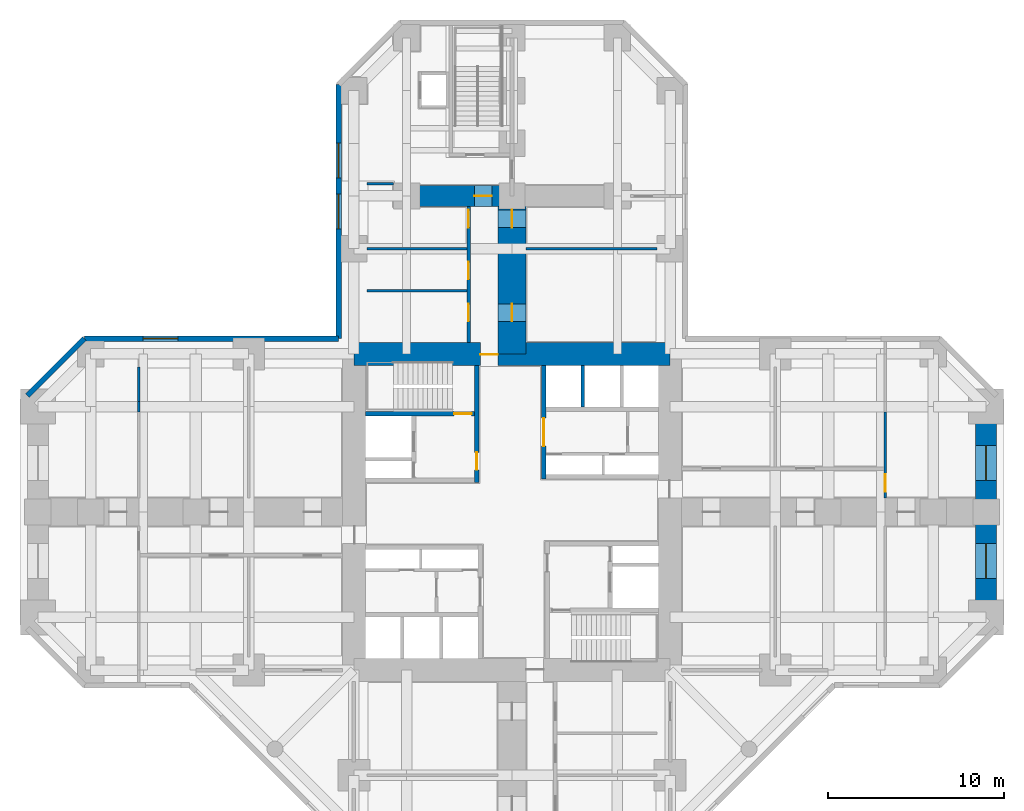
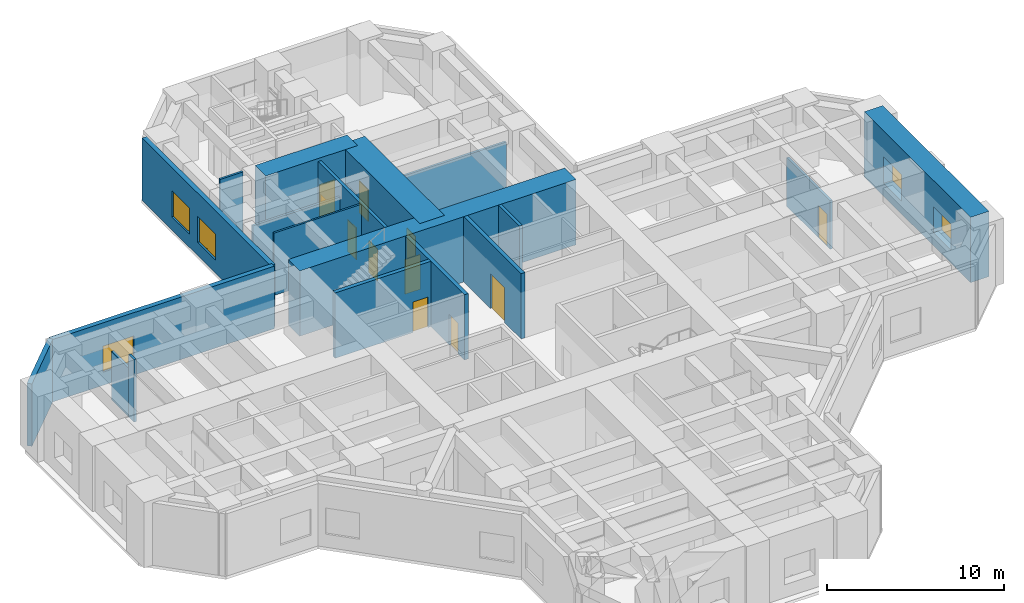
# One storey, part 6 of 8: 19 walls, 11 doors, 5 windows, 16 openings.
"""IFC4 building model written with IfcOpenShell, lengths in metres."""

from ifc_helpers import new_model, si_unit, direction, frame, frame_2d, origin, place, context, subcontext, project, spatial, rectangle, hollow_rectangle, extrude, material, layer, layer_set, constituent, constituent_set, type_object, element, fill, save


model = new_model("IFC4")

# Units and contexts
model_context = context("Model", 3, precision=1e-05, world=origin(), true_north=direction((0.0, 1.0)))
body_context = subcontext(model_context, "Body", "Model", "MODEL_VIEW")
ifc_project = project(units=[si_unit("LENGTHUNIT", "METRE"), si_unit("AREAUNIT", "SQUARE_METRE"), si_unit("VOLUMEUNIT", "CUBIC_METRE"), si_unit("PLANEANGLEUNIT", "RADIAN"), si_unit("MASSUNIT", "GRAM", prefix="KILO")], contexts=[model_context])

# Site, building, storey
site_placement = place(None, origin())
site = spatial("IfcSite", under=ifc_project, at=site_placement, CompositionType="ELEMENT")
building_placement = place(site_placement, origin())
building = spatial("IfcBuilding", under=site, at=building_placement, Name="Torre Cruceta", CompositionType="ELEMENT")
storey_placement = place(building_placement, frame((0.0, 0.0, 9.5)))
storey = spatial("IfcBuildingStorey", under=building, at=storey_placement, Name="L02", CompositionType="ELEMENT", Elevation=9.5)

# Wall, opening, door
ifc_material_1 = material(Name="Concrete G60 (fck 60 MPa)", Category="concrete")
ifc_layer_1 = layer(ifc_material_1, 0.25)
ifc_layer_set_1 = layer_set([ifc_layer_1], Name="Concrete G60 (fck 60 MPa)")
wall_type_1 = type_object("IfcWallType", Name="CORE INNER WALL 250 G60", PredefinedType="SHEAR", material=ifc_layer_set_1)
wall_1_placement = place(storey_placement, frame((1.800048828125, 1.875, 0.0), z_axis=(0.0, 0.0, 1.0), x_axis=(0.0, 1.0, 0.0)))
wall_1 = element("IfcWall", 1, at=wall_1_placement, inside=storey, type_object=wall_type_1, Name="CW4 L02 NE-CU", PredefinedType="SHEAR", context=body_context, shape_type="SweptSolid", body=[
    extrude(rectangle(XDim=6.47509765625, YDim=0.25, at=frame_2d((3.237548828125, 0.0))), origin(), (0.0, 0.0, 1.0), 4.5),
])
opening_1_placement = place(wall_1_placement, frame((1.875, 0.0, 0.0)))
opening_1 = element("IfcOpeningElement", 2, at=opening_1_placement, cuts=wall_1, Name="Opening D15", PredefinedType="OPENING", context=body_context, shape_type="SweptSolid", body=[
    extrude(rectangle(XDim=1.60009765625, YDim=2.39990234375, at=frame_2d((0.800048828125, 1.199951171875))), frame((0.0, 0.135009765625, 0.0), z_axis=(0.0, -1.0, 0.0), x_axis=(1.0, 0.0, 0.0)), (0.0, 0.0, 1.0), 0.27001953125),
])
ifc_material_2 = material(Name="Steel DX51D", Category="steel")
ifc_constituent_1 = constituent(ifc_material_2, Name="Leaf and frame")
ifc_material_3 = material(Name="Polyester powder coating", Category="paint")
ifc_constituent_2 = constituent(ifc_material_3, Name="Finish")
ifc_constituent_set_1 = constituent_set(constituents=[ifc_constituent_1, ifc_constituent_2], Name="Steel fire door")
door_type_1 = type_object("IfcDoorType", Name="CORE ROOM DOUBLE DOOR 1600X2400", OperationType="DOUBLE_DOOR_SINGLE_SWING", PredefinedType="DOOR", material=ifc_constituent_set_1)
door_1_placement = place(opening_1_placement, frame((1.60009765625, 0.0, 0.0), z_axis=(0.0, 0.0, 1.0), x_axis=(-1.0, 0.0, 0.0)))
door_1 = element("IfcDoor", 3, at=door_1_placement, inside=storey, type_object=door_type_1, Name="D15 L02 NE-LOBBY", OperationType="DOUBLE_DOOR_SINGLE_SWING", OverallHeight=2.39990234375, OverallWidth=1.60009765625, PredefinedType="DOOR", context=body_context, shape_type="SweptSolid", body=[
    extrude(rectangle(XDim=1.60009765625, YDim=2.39990234375, at=frame_2d((0.800048828125, 1.199951171875))), frame((0.0, 0.025146484375, 0.0), z_axis=(0.0, -1.0, 0.0), x_axis=(1.0, 0.0, 0.0)), (0.0, 0.0, 1.0), 0.050048828125),
])
fill(opening_1, door_1)

wall_2_placement = place(storey_placement, frame((-2.0, 1.675048828125, 0.0), z_axis=(0.0, 0.0, 1.0), x_axis=(0.0, 1.0, 0.0)))
wall_2 = element("IfcWall", 4, at=wall_2_placement, inside=storey, type_object=wall_type_1, Name="CW4 L02 NW-CU", PredefinedType="SHEAR", context=body_context, shape_type="SweptSolid", body=[
    extrude(rectangle(XDim=6.675048828125, YDim=0.25, at=frame_2d((3.33740234375, 0.0))), origin(), (0.0, 0.0, 1.0), 4.5),
])
opening_2_placement = place(wall_2_placement, frame((0.72509765625, 0.0, 0.0)))
opening_2 = element("IfcOpeningElement", 5, at=opening_2_placement, cuts=wall_2, Name="Opening D3", PredefinedType="OPENING", context=body_context, shape_type="SweptSolid", body=[
    extrude(rectangle(XDim=1.0, YDim=2.10009765625, at=frame_2d((0.5, 1.050048828125))), frame((0.0, 0.135009765625, 0.0), z_axis=(0.0, -1.0, 0.0), x_axis=(1.0, 0.0, 0.0)), (0.0, 0.0, 1.0), 0.27001953125),
])
ifc_material_4 = material(Name="Steel DX51D", Category="steel")
ifc_constituent_3 = constituent(ifc_material_4, Name="Leaf and frame")
ifc_material_5 = material(Name="Polyester powder coating", Category="paint")
ifc_constituent_4 = constituent(ifc_material_5, Name="Finish")
ifc_constituent_set_2 = constituent_set(constituents=[ifc_constituent_3, ifc_constituent_4], Name="Steel fire door")
door_type_2 = type_object("IfcDoorType", Name="FIRE DOOR 1000X2100", OperationType="SINGLE_SWING_LEFT", PredefinedType="DOOR", material=ifc_constituent_set_2)
door_2_placement = place(opening_2_placement, origin())
door_2 = element("IfcDoor", 6, at=door_2_placement, inside=storey, type_object=door_type_2, Name="D3 L02 NW-LOBBY", OperationType="SINGLE_SWING_LEFT", OverallHeight=2.10009765625, OverallWidth=1.0, PredefinedType="DOOR", context=body_context, shape_type="SweptSolid", body=[
    extrude(rectangle(XDim=1.0, YDim=2.10009765625, at=frame_2d((0.5, 1.050048828125))), frame((0.0, 0.02490234375, 0.0), z_axis=(0.0, -1.0, 0.0), x_axis=(1.0, 0.0, 0.0)), (0.0, 0.0, 1.0), 0.050048828125),
])
fill(opening_2, door_2)

wall_3_placement = place(storey_placement, frame((-2.125, 5.60009765625, 0.0), z_axis=(0.0, 0.0, 1.0), x_axis=(-1.0, 0.0, 0.0)))
wall_3 = element("IfcWall", 7, at=wall_3_placement, inside=storey, type_object=wall_type_1, Name="CW4 L02 NW-SV", PredefinedType="SHEAR", context=body_context, shape_type="SweptSolid", body=[
    extrude(rectangle(XDim=6.22509765625, YDim=0.25, at=frame_2d((3.112548828125, 0.0))), origin(), (0.0, 0.0, 1.0), 4.5),
])
opening_3_placement = place(wall_3_placement, frame((0.175048828125, 0.0, 0.0)))
opening_3 = element("IfcOpeningElement", 8, at=opening_3_placement, cuts=wall_3, Name="Opening D3", PredefinedType="OPENING", context=body_context, shape_type="SweptSolid", body=[
    extrude(rectangle(XDim=1.0, YDim=2.10009765625, at=frame_2d((0.5, 1.050048828125))), frame((0.0, 0.135009765625, 0.0), z_axis=(0.0, -1.0, 0.0), x_axis=(1.0, 0.0, 0.0)), (0.0, 0.0, 1.0), 0.27001953125),
])
door_3_placement = place(opening_3_placement, frame((1.0, 0.0, 0.0), z_axis=(0.0, 0.0, 1.0), x_axis=(-1.0, 0.0, 0.0)))
door_3 = element("IfcDoor", 9, at=door_3_placement, inside=storey, type_object=door_type_2, Name="D3 L02 NW-STAIR", OperationType="SINGLE_SWING_RIGHT", OverallHeight=2.10009765625, OverallWidth=1.0, PredefinedType="DOOR", context=body_context, shape_type="SweptSolid", body=[
    extrude(rectangle(XDim=1.0, YDim=2.10009765625, at=frame_2d((0.5, 1.050048828125))), frame((0.0, 0.025146484375, 0.0), z_axis=(0.0, -1.0, 0.0), x_axis=(1.0, 0.0, 0.0)), (0.0, 0.0, 1.0), 0.050048828125),
])
fill(opening_3, door_3)

ifc_material_6 = material(Name="Concrete G60 (fck 60 MPa)", Category="concrete")
ifc_layer_2 = layer(ifc_material_6, 1.300048828125)
ifc_layer_set_2 = layer_set([ifc_layer_2], Name="Concrete G60 (fck 60 MPa)")
wall_type_2 = type_object("IfcWallType", Name="CORE WALL 1300 G60", PredefinedType="SHEAR", material=ifc_layer_set_2)
wall_4_placement = place(storey_placement, frame((9.0, 9.0, 0.0), z_axis=(0.0, 0.0, 1.0), x_axis=(-1.0, 0.0, 0.0)))
wall_4 = element("IfcWall", 10, at=wall_4_placement, inside=storey, type_object=wall_type_2, Name="CW1 L02 CW-N", PredefinedType="SHEAR", context=body_context, shape_type="SweptSolid", body=[
    extrude(rectangle(XDim=18.0, YDim=1.300048828125, at=frame_2d((9.0, 0.0))), origin(), (0.0, 0.0, 1.0), 4.5),
])
opening_4_placement = place(wall_4_placement, frame((9.800048828125, 0.0, 0.0)))
opening_4 = element("IfcOpeningElement", 11, at=opening_4_placement, cuts=wall_4, Name="Opening D4", PredefinedType="OPENING", context=body_context, shape_type="SweptSolid", body=[
    extrude(rectangle(XDim=1.0, YDim=2.39990234375, at=frame_2d((0.5, 1.199951171875))), frame((0.0, 0.659912109375, 0.0), z_axis=(0.0, -1.0, 0.0), x_axis=(1.0, 0.0, 0.0)), (0.0, 0.0, 1.0), 1.320068359375),
])
ifc_material_7 = material(Name="Steel DX51D", Category="steel")
ifc_constituent_5 = constituent(ifc_material_7, Name="Leaf and frame")
ifc_material_8 = material(Name="Polyester powder coating", Category="paint")
ifc_constituent_6 = constituent(ifc_material_8, Name="Finish")
ifc_constituent_set_3 = constituent_set(constituents=[ifc_constituent_5, ifc_constituent_6], Name="Steel fire door")
door_type_3 = type_object("IfcDoorType", Name="CORE ARM DOOR 1000X2400", OperationType="SINGLE_SWING_RIGHT", PredefinedType="DOOR", material=ifc_constituent_set_3)
door_4_placement = place(opening_4_placement, origin())
door_4 = element("IfcDoor", 12, at=door_4_placement, inside=storey, type_object=door_type_3, Name="D4 L02 CW-N", OperationType="SINGLE_SWING_RIGHT", OverallHeight=2.39990234375, OverallWidth=1.0, PredefinedType="DOOR", context=body_context, shape_type="SweptSolid", body=[
    extrude(rectangle(XDim=1.0, YDim=2.39990234375, at=frame_2d((0.5, 1.199951171875))), frame((0.0, 0.05517578125, 0.0), z_axis=(0.0, -1.0, 0.0), x_axis=(1.0, 0.0, 0.0)), (0.0, 0.0, 1.0), 0.050048828125),
])
fill(opening_4, door_4)

# Wall, openings, doors
ifc_material_9 = material(Name="Concrete G25 (fck 25 MPa)", Category="concrete")
ifc_layer_3 = layer(ifc_material_9, 0.199951171875)
ifc_layer_set_3 = layer_set([ifc_layer_3], Name="Concrete G25 (fck 25 MPa)")
wall_type_3 = type_object("IfcWallType", Name="CORRIDOR WALL 200", PredefinedType="SOLIDWALL", material=ifc_layer_set_3)
wall_5_placement = place(storey_placement, frame((-2.47509765625, 9.64990234375, 0.0), z_axis=(0.0, 0.0, 1.0), x_axis=(0.0, 1.0, 0.0)))
wall_5 = element("IfcWall", 13, at=wall_5_placement, inside=storey, type_object=wall_type_3, Name="PT3 L02-N-CL", PredefinedType="SOLIDWALL", context=body_context, shape_type="SweptSolid", body=[
    extrude(rectangle(XDim=7.75, YDim=0.199951171875, at=frame_2d((3.875, 0.0))), origin(), (0.0, 0.0, 1.0), 4.300048828125),
])
opening_5_placement = place(wall_5_placement, frame((1.199951171875, 0.0, 0.0)))
opening_5 = element("IfcOpeningElement", 14, at=opening_5_placement, cuts=wall_5, Name="Opening D14", PredefinedType="OPENING", context=body_context, shape_type="SweptSolid", body=[
    extrude(rectangle(XDim=1.0, YDim=2.199951171875, at=frame_2d((0.5, 1.10009765625))), frame((0.0, 0.10986328125, 0.0), z_axis=(0.0, -1.0, 0.0), x_axis=(1.0, 0.0, 0.0)), (0.0, 0.0, 1.0), 0.219970703125),
])
opening_6_placement = place(wall_5_placement, frame((3.60009765625, 0.0, 0.0)))
opening_6 = element("IfcOpeningElement", 15, at=opening_6_placement, cuts=wall_5, Name="Opening D14", PredefinedType="OPENING", context=body_context, shape_type="SweptSolid", body=[
    extrude(rectangle(XDim=1.0, YDim=2.199951171875, at=frame_2d((0.5, 1.10009765625))), frame((0.0, 0.10986328125, 0.0), z_axis=(0.0, -1.0, 0.0), x_axis=(1.0, 0.0, 0.0)), (0.0, 0.0, 1.0), 0.219970703125),
])
opening_7_placement = place(wall_5_placement, frame((6.550048828125, 0.0, 0.0)))
opening_7 = element("IfcOpeningElement", 16, at=opening_7_placement, cuts=wall_5, Name="Opening D14", PredefinedType="OPENING", context=body_context, shape_type="SweptSolid", body=[
    extrude(rectangle(XDim=1.0, YDim=2.199951171875, at=frame_2d((0.5, 1.10009765625))), frame((0.0, 0.10986328125, 0.0), z_axis=(0.0, -1.0, 0.0), x_axis=(1.0, 0.0, 0.0)), (0.0, 0.0, 1.0), 0.219970703125),
])
ifc_material_10 = material(Name="Steel DX51D", Category="steel")
ifc_constituent_7 = constituent(ifc_material_10, Name="Leaf and frame")
ifc_material_11 = material(Name="Polyester powder coating", Category="paint")
ifc_constituent_8 = constituent(ifc_material_11, Name="Finish")
ifc_material_12 = material(Name="Fire-resisting glass", Category="glass")
ifc_constituent_9 = constituent(ifc_material_12, Name="Vision panel")
ifc_constituent_set_4 = constituent_set(constituents=[ifc_constituent_7, ifc_constituent_8, ifc_constituent_9], Name="Steel fire door with vision panel")
door_type_4 = type_object("IfcDoorType", Name="FIRE DOOR VISION PANEL 1000X2200", OperationType="SINGLE_SWING_RIGHT", PredefinedType="DOOR", material=ifc_constituent_set_4)
door_5_placement = place(opening_5_placement, origin())
door_5 = element("IfcDoor", 17, at=door_5_placement, inside=storey, type_object=door_type_4, Name="D14 L02-N-CL-D1", OperationType="SINGLE_SWING_RIGHT", OverallHeight=2.199951171875, OverallWidth=1.0, PredefinedType="DOOR", context=body_context, shape_type="SweptSolid", body=[
    extrude(rectangle(XDim=1.0, YDim=2.199951171875, at=frame_2d((0.5, 1.10009765625))), frame((0.0, 0.02490234375, 0.0), z_axis=(0.0, -1.0, 0.0), x_axis=(1.0, 0.0, 0.0)), (0.0, 0.0, 1.0), 0.050048828125),
])
fill(opening_5, door_5)
door_6_placement = place(opening_6_placement, origin())
door_6 = element("IfcDoor", 18, at=door_6_placement, inside=storey, type_object=door_type_4, Name="D14 L02-N-CL-D2", OperationType="SINGLE_SWING_LEFT", OverallHeight=2.199951171875, OverallWidth=1.0, PredefinedType="DOOR", context=body_context, shape_type="SweptSolid", body=[
    extrude(rectangle(XDim=1.0, YDim=2.199951171875, at=frame_2d((0.5, 1.10009765625))), frame((0.0, 0.02490234375, 0.0), z_axis=(0.0, -1.0, 0.0), x_axis=(1.0, 0.0, 0.0)), (0.0, 0.0, 1.0), 0.050048828125),
])
fill(opening_6, door_6)
door_7_placement = place(opening_7_placement, origin())
door_7 = element("IfcDoor", 19, at=door_7_placement, inside=storey, type_object=door_type_4, Name="D14 L02-N-CL-D3", OperationType="SINGLE_SWING_RIGHT", OverallHeight=2.199951171875, OverallWidth=1.0, PredefinedType="DOOR", context=body_context, shape_type="SweptSolid", body=[
    extrude(rectangle(XDim=1.0, YDim=2.199951171875, at=frame_2d((0.5, 1.10009765625))), frame((0.0, 0.02490234375, 0.0), z_axis=(0.0, -1.0, 0.0), x_axis=(1.0, 0.0, 0.0)), (0.0, 0.0, 1.0), 0.050048828125),
])
fill(opening_7, door_7)

# Wall, opening, door
ifc_material_13 = material(Name="Concrete G60 (fck 60 MPa)", Category="concrete")
ifc_layer_4 = layer(ifc_material_13, 1.199951171875)
ifc_layer_set_4 = layer_set([ifc_layer_4], Name="Concrete G60 (fck 60 MPa)")
wall_type_4 = type_object("IfcWallType", Name="CROSS WALL 1200 G60", PredefinedType="SHEAR", material=ifc_layer_set_4)
wall_6_placement = place(storey_placement, frame((0.0, 18.0, 0.0), z_axis=(0.0, 0.0, 1.0), x_axis=(-1.0, 0.0, 0.0)))
wall_6 = element("IfcWall", 20, at=wall_6_placement, inside=storey, type_object=wall_type_4, Name="XW1 cross wall L02 N L", PredefinedType="SHEAR", context=body_context, shape_type="SweptSolid", body=[
    extrude(rectangle(XDim=6.0, YDim=1.199951171875, at=frame_2d((3.0, 0.0))), origin(), (0.0, 0.0, 1.0), 4.5),
])
opening_8_placement = place(wall_6_placement, frame((1.14990234375, 0.0, 0.0)))
opening_8 = element("IfcOpeningElement", 21, at=opening_8_placement, cuts=wall_6, Name="Opening D14", PredefinedType="OPENING", context=body_context, shape_type="SweptSolid", body=[
    extrude(rectangle(XDim=1.0, YDim=2.199951171875, at=frame_2d((0.5, 1.10009765625))), frame((0.0, 0.60986328125, 0.0), z_axis=(0.0, -1.0, 0.0), x_axis=(1.0, 0.0, 0.0)), (0.0, 0.0, 1.0), 1.219970703125),
])
door_8_placement = place(opening_8_placement, frame((1.0, 0.0, 0.0), z_axis=(0.0, 0.0, 1.0), x_axis=(-1.0, 0.0, 0.0)))
door_8 = element("IfcDoor", 22, at=door_8_placement, inside=storey, type_object=door_type_4, Name="D14 L02-N-XW1", OperationType="SINGLE_SWING_RIGHT", OverallHeight=2.199951171875, OverallWidth=1.0, PredefinedType="DOOR", context=body_context, shape_type="SweptSolid", body=[
    extrude(rectangle(XDim=1.0, YDim=2.199951171875, at=frame_2d((0.5, 1.10009765625))), frame((0.0, 0.025146484375, 0.0), z_axis=(0.0, -1.0, 0.0), x_axis=(1.0, 0.0, 0.0)), (0.0, 0.0, 1.0), 0.050048828125),
])
fill(opening_8, door_8)

# Wall, openings, windows
ifc_material_14 = material(Name="Concrete G30 (fck 30 MPa)", Category="concrete")
ifc_layer_5 = layer(ifc_material_14, 0.300048828125)
ifc_layer_set_5 = layer_set([ifc_layer_5], Name="Concrete G30 (fck 30 MPa)")
wall_type_5 = type_object("IfcWallType", Name="EXPOSED CONCRETE FACADE WALL 300", PredefinedType="SOLIDWALL", material=ifc_layer_set_5)
wall_7_placement = place(storey_placement, frame((-9.8701171875, 24.3603515625, 0.0), z_axis=(0.0, 0.0, 1.0), x_axis=(0.0, -1.0, 0.0)))
wall_7 = element("IfcWall", 23, at=wall_7_placement, inside=storey, type_object=wall_type_5, Name="EW1 facade wall L02 N side 09", PredefinedType="SOLIDWALL", context=body_context, shape_type="SweptSolid", body=[
    extrude(rectangle(XDim=14.490234375, YDim=0.300048828125, at=frame_2d((7.2451171875, 0.0))), origin(), (0.0, 0.0, 1.0), 4.300048828125),
])
opening_9_placement = place(wall_7_placement, frame((3.34716796875, 0.0, 0.89990234375)))
opening_9 = element("IfcOpeningElement", 24, at=opening_9_placement, cuts=wall_7, Name="Opening WN1", PredefinedType="OPENING", context=body_context, shape_type="SweptSolid", body=[
    extrude(rectangle(XDim=2.0, YDim=1.800048828125, at=frame_2d((1.0, 0.89990234375))), frame((0.0, 0.159912109375, 0.0), z_axis=(0.0, -1.0, 0.0), x_axis=(1.0, 0.0, 0.0)), (0.0, 0.0, 1.0), 0.320068359375),
])
opening_10_placement = place(wall_7_placement, frame((6.2451171875, 0.0, 0.89990234375)))
opening_10 = element("IfcOpeningElement", 25, at=opening_10_placement, cuts=wall_7, Name="Opening WN1", PredefinedType="OPENING", context=body_context, shape_type="SweptSolid", body=[
    extrude(rectangle(XDim=2.0, YDim=1.800048828125, at=frame_2d((1.0, 0.89990234375))), frame((0.0, 0.159912109375, 0.0), z_axis=(0.0, -1.0, 0.0), x_axis=(1.0, 0.0, 0.0)), (0.0, 0.0, 1.0), 0.320068359375),
])
ifc_material_15 = material(Name="Aluminium window frame", Category="aluminium")
ifc_constituent_10 = constituent(ifc_material_15, Name="Frame")
ifc_material_16 = material(Name="Laminated insulating glass unit, low-iron clear", Category="glass")
ifc_constituent_11 = constituent(ifc_material_16, Name="Glazing")
ifc_constituent_set_5 = constituent_set(constituents=[ifc_constituent_10, ifc_constituent_11], Name="Aluminium window")
window_type = type_object("IfcWindowType", Name="SCHOOL WINDOW 2000X1800", PartitioningType="SINGLE_PANEL", PredefinedType="WINDOW", material=ifc_constituent_set_5)
window_1_placement = place(opening_9_placement, origin())
window_1 = element("IfcWindow", 26, at=window_1_placement, inside=storey, type_object=window_type, Name="WN1 L02 N 2", OverallHeight=1.800048828125, OverallWidth=2.0, PartitioningType="SINGLE_PANEL", PredefinedType="WINDOW", context=body_context, shape_type="SweptSolid", body=[
    extrude(hollow_rectangle(XDim=2.0, YDim=1.800048828125, WallThickness=0.06005859375, at=frame_2d((1.0, 0.89990234375))), frame((0.0, 0.030029296875, 0.0), z_axis=(0.0, -1.0, 0.0), x_axis=(1.0, 0.0, 0.0)), (0.0, 0.0, 1.0), 0.06005859375),
    extrude(rectangle(XDim=1.87890625, YDim=1.678955078125, at=frame_2d((1.0, 0.89990234375))), frame((0.0, 0.030029296875, 0.0), z_axis=(0.0, -1.0, 0.0), x_axis=(1.0, 0.0, 0.0)), (0.0, 0.0, 1.0), 0.06005859375),
])
fill(opening_9, window_1)
window_2_placement = place(opening_10_placement, origin())
window_2 = element("IfcWindow", 27, at=window_2_placement, inside=storey, type_object=window_type, Name="WN1 L02 N 3", OverallHeight=1.800048828125, OverallWidth=2.0, PartitioningType="SINGLE_PANEL", PredefinedType="WINDOW", context=body_context, shape_type="SweptSolid", body=[
    extrude(hollow_rectangle(XDim=2.0, YDim=1.800048828125, WallThickness=0.06005859375, at=frame_2d((1.0, 0.89990234375))), frame((0.0, 0.030029296875, 0.0), z_axis=(0.0, -1.0, 0.0), x_axis=(1.0, 0.0, 0.0)), (0.0, 0.0, 1.0), 0.06005859375),
    extrude(rectangle(XDim=1.87890625, YDim=1.678955078125, at=frame_2d((1.0, 0.89990234375))), frame((0.0, 0.030029296875, 0.0), z_axis=(0.0, -1.0, 0.0), x_axis=(1.0, 0.0, 0.0)), (0.0, 0.0, 1.0), 0.06005859375),
])
fill(opening_10, window_2)

# Wall, opening, window
wall_8_placement = place(storey_placement, frame((-9.8701171875, 9.8701171875, 0.0), z_axis=(0.0, 0.0, 1.0), x_axis=(-1.0, 0.0, 0.0)))
wall_8 = element("IfcWall", 28, at=wall_8_placement, inside=storey, type_object=wall_type_5, Name="EW1 facade wall L02 W side 10", PredefinedType="SOLIDWALL", context=body_context, shape_type="SweptSolid", body=[
    extrude(rectangle(XDim=14.490234375, YDim=0.300048828125, at=frame_2d((7.2451171875, 0.0))), origin(), (0.0, 0.0, 1.0), 4.300048828125),
])
opening_11_placement = place(wall_8_placement, frame((9.143310546875, 0.0, 0.89990234375)))
opening_11 = element("IfcOpeningElement", 29, at=opening_11_placement, cuts=wall_8, Name="Opening WN1", PredefinedType="OPENING", context=body_context, shape_type="SweptSolid", body=[
    extrude(rectangle(XDim=2.0, YDim=1.800048828125, at=frame_2d((1.0, 0.89990234375))), frame((0.0, 0.159912109375, 0.0), z_axis=(0.0, -1.0, 0.0), x_axis=(1.0, 0.0, 0.0)), (0.0, 0.0, 1.0), 0.320068359375),
])
window_3_placement = place(opening_11_placement, origin())
window_3 = element("IfcWindow", 30, at=window_3_placement, inside=storey, type_object=window_type, Name="WN1 L02 W 4", OverallHeight=1.800048828125, OverallWidth=2.0, PartitioningType="SINGLE_PANEL", PredefinedType="WINDOW", context=body_context, shape_type="SweptSolid", body=[
    extrude(hollow_rectangle(XDim=2.0, YDim=1.800048828125, WallThickness=0.06005859375, at=frame_2d((1.0, 0.89990234375))), frame((0.0, 0.030029296875, 0.0), z_axis=(0.0, -1.0, 0.0), x_axis=(1.0, 0.0, 0.0)), (0.0, 0.0, 1.0), 0.06005859375),
    extrude(rectangle(XDim=1.87890625, YDim=1.678955078125, at=frame_2d((1.0, 0.89990234375))), frame((0.0, 0.030029296875, 0.0), z_axis=(0.0, -1.0, 0.0), x_axis=(1.0, 0.0, 0.0)), (0.0, 0.0, 1.0), 0.06005859375),
])
fill(opening_11, window_3)

# Walls
wall_9_placement = place(storey_placement, frame((-24.3603515625, 9.8701171875, 0.0), z_axis=(0.0, 0.0, 1.0), x_axis=(-0.707106781187, -0.707106781187, 0.0)))
element("IfcWall", 31, at=wall_9_placement, inside=storey, type_object=wall_type_5, Name="EW1 facade wall L02 W chamfer 11", PredefinedType="SOLIDWALL", context=body_context, shape_type="SweptSolid", body=[
    extrude(rectangle(XDim=4.581787109375, YDim=0.300048828125, at=frame_2d((2.291015625, 0.0))), origin(), (0.0, 0.0, 1.0), 4.300048828125),
])
ifc_material_17 = material(Name="Concrete G35 (fck 35 MPa)", Category="concrete")
ifc_layer_6 = layer(ifc_material_17, 0.199951171875)
ifc_layer_set_6 = layer_set([ifc_layer_6], Name="Concrete G35 (fck 35 MPa)")
wall_type_6 = type_object("IfcWallType", Name="LIFT SHAFT WALL 200", PredefinedType="PARTITIONING", material=ifc_layer_set_6)
wall_10_placement = place(storey_placement, frame((4.033447265625, 5.97509765625, 0.0), z_axis=(0.0, 0.0, 1.0), x_axis=(0.0, 1.0, 0.0)))
element("IfcWall", 32, at=wall_10_placement, inside=storey, type_object=wall_type_6, Name="SW1 L02 NE-LS1", PredefinedType="PARTITIONING", context=body_context, shape_type="SweptSolid", body=[
    extrude(rectangle(XDim=2.375, YDim=0.199951171875, at=frame_2d((1.1875, 0.0))), origin(), (0.0, 0.0, 1.0), 4.5),
])

# Wall, openings, windows
ifc_material_18 = material(Name="Concrete G60 (fck 60 MPa)", Category="concrete")
ifc_layer_7 = layer(ifc_material_18, 1.199951171875)
ifc_layer_set_7 = layer_set([ifc_layer_7], Name="Concrete G60 (fck 60 MPa)")
wall_type_7 = type_object("IfcWallType", Name="NOSE WALL 1200 G60", PredefinedType="SHEAR", material=ifc_layer_set_7)
wall_11_placement = place(storey_placement, frame((27.0, -6.0, 0.0), z_axis=(0.0, 0.0, 1.0), x_axis=(0.0, 1.0, 0.0)))
wall_11 = element("IfcWall", 33, at=wall_11_placement, inside=storey, type_object=wall_type_7, Name="NW1 nose wall L02 E", PredefinedType="SHEAR", context=body_context, shape_type="SweptSolid", body=[
    extrude(rectangle(XDim=12.0, YDim=1.199951171875, at=frame_2d((6.0, 0.0))), origin(), (0.0, 0.0, 1.0), 4.5),
])
opening_12_placement = place(wall_11_placement, frame((2.199951171875, 0.0, 0.89990234375)))
opening_12 = element("IfcOpeningElement", 34, at=opening_12_placement, cuts=wall_11, Name="Opening WN1", PredefinedType="OPENING", context=body_context, shape_type="SweptSolid", body=[
    extrude(rectangle(XDim=2.0, YDim=1.800048828125, at=frame_2d((1.0, 0.89990234375))), frame((0.0, 0.60986328125, 0.0), z_axis=(0.0, -1.0, 0.0), x_axis=(1.0, 0.0, 0.0)), (0.0, 0.0, 1.0), 1.219970703125),
])
opening_13_placement = place(wall_11_placement, frame((7.800048828125, 0.0, 0.89990234375)))
opening_13 = element("IfcOpeningElement", 35, at=opening_13_placement, cuts=wall_11, Name="Opening WN1", PredefinedType="OPENING", context=body_context, shape_type="SweptSolid", body=[
    extrude(rectangle(XDim=2.0, YDim=1.800048828125, at=frame_2d((1.0, 0.89990234375))), frame((0.0, 0.60986328125, 0.0), z_axis=(0.0, -1.0, 0.0), x_axis=(1.0, 0.0, 0.0)), (0.0, 0.0, 1.0), 1.219970703125),
])
window_4_placement = place(opening_12_placement, origin())
window_4 = element("IfcWindow", 36, at=window_4_placement, inside=storey, type_object=window_type, Name="WN1 L02 E 1", OverallHeight=1.800048828125, OverallWidth=2.0, PartitioningType="SINGLE_PANEL", PredefinedType="WINDOW", context=body_context, shape_type="SweptSolid", body=[
    extrude(hollow_rectangle(XDim=2.0, YDim=1.800048828125, WallThickness=0.06005859375, at=frame_2d((1.0, 0.89990234375))), frame((0.0, 0.030029296875, 0.0), z_axis=(0.0, -1.0, 0.0), x_axis=(1.0, 0.0, 0.0)), (0.0, 0.0, 1.0), 0.06005859375),
    extrude(rectangle(XDim=1.87890625, YDim=1.678955078125, at=frame_2d((1.0, 0.89990234375))), frame((0.0, 0.030029296875, 0.0), z_axis=(0.0, -1.0, 0.0), x_axis=(1.0, 0.0, 0.0)), (0.0, 0.0, 1.0), 0.06005859375),
])
fill(opening_12, window_4)
window_5_placement = place(opening_13_placement, origin())
window_5 = element("IfcWindow", 37, at=window_5_placement, inside=storey, type_object=window_type, Name="WN1 L02 E 2", OverallHeight=1.800048828125, OverallWidth=2.0, PartitioningType="SINGLE_PANEL", PredefinedType="WINDOW", context=body_context, shape_type="SweptSolid", body=[
    extrude(hollow_rectangle(XDim=2.0, YDim=1.800048828125, WallThickness=0.06005859375, at=frame_2d((1.0, 0.89990234375))), frame((0.0, 0.030029296875, 0.0), z_axis=(0.0, -1.0, 0.0), x_axis=(1.0, 0.0, 0.0)), (0.0, 0.0, 1.0), 0.06005859375),
    extrude(rectangle(XDim=1.87890625, YDim=1.678955078125, at=frame_2d((1.0, 0.89990234375))), frame((0.0, 0.030029296875, 0.0), z_axis=(0.0, -1.0, 0.0), x_axis=(1.0, 0.0, 0.0)), (0.0, 0.0, 1.0), 0.06005859375),
])
fill(opening_13, window_5)

# Walls
ifc_material_19 = material(Name="Plasterboard on steel studs", Category="steel")
ifc_layer_8 = layer(ifc_material_19, 0.14990234375)
ifc_layer_set_8 = layer_set([ifc_layer_8], Name="Plasterboard on steel studs")
wall_type_8 = type_object("IfcWallType", Name="PARTITION 150", PredefinedType="PARTITIONING", material=ifc_layer_set_8)
wall_12_placement = place(storey_placement, frame((-2.574951171875, 15.0, 0.0), z_axis=(0.0, 0.0, 1.0), x_axis=(-1.0, 0.0, 0.0)))
element("IfcWall", 38, at=wall_12_placement, inside=storey, type_object=wall_type_8, Name="PT1 L02-N-P1L", PredefinedType="PARTITIONING", context=body_context, shape_type="SweptSolid", body=[
    extrude(rectangle(XDim=5.675048828125, YDim=0.14990234375, at=frame_2d((2.83740234375, 0.0))), origin(), (0.0, 0.0, 1.0), 3.35009765625),
])
wall_13_placement = place(storey_placement, frame((8.25, 15.0, 0.0), z_axis=(0.0, 0.0, 1.0), x_axis=(-1.0, 0.0, 0.0)))
element("IfcWall", 39, at=wall_13_placement, inside=storey, type_object=wall_type_8, Name="PT1 L02-N-P1R", PredefinedType="PARTITIONING", context=body_context, shape_type="SweptSolid", body=[
    extrude(rectangle(XDim=7.449951171875, YDim=0.14990234375, at=frame_2d((3.72509765625, 0.0))), origin(), (0.0, 0.0, 1.0), 3.35009765625),
])
wall_14_placement = place(storey_placement, frame((-6.75, 18.699951171875, 0.0), z_axis=(0.0, 0.0, 1.0), x_axis=(-1.0, 0.0, 0.0)))
element("IfcWall", 40, at=wall_14_placement, inside=storey, type_object=wall_type_8, Name="PT1 L02-N-SB3", PredefinedType="PARTITIONING", context=body_context, shape_type="SweptSolid", body=[
    extrude(rectangle(XDim=1.5, YDim=0.14990234375, at=frame_2d((0.75, 0.0))), origin(), (0.0, 0.0, 1.0), 4.300048828125),
])

# Wall, opening, door
wall_15_placement = place(storey_placement, frame((21.25, 0.800048828125, 0.0), z_axis=(0.0, 0.0, 1.0), x_axis=(0.0, 1.0, 0.0)))
wall_15 = element("IfcWall", 41, at=wall_15_placement, inside=storey, type_object=wall_type_8, Name="PT1 L02-E-ENDb", PredefinedType="PARTITIONING", context=body_context, shape_type="SweptSolid", body=[
    extrude(rectangle(XDim=4.89990234375, YDim=0.14990234375, at=frame_2d((2.449951171875, 0.0))), origin(), (0.0, 0.0, 1.0), 3.35009765625),
])
opening_14_placement = place(wall_15_placement, frame((0.35009765625, 0.0, 0.0)))
opening_14 = element("IfcOpeningElement", 42, at=opening_14_placement, cuts=wall_15, Name="Opening D14", PredefinedType="OPENING", context=body_context, shape_type="SweptSolid", body=[
    extrude(rectangle(XDim=1.0, YDim=2.199951171875, at=frame_2d((0.5, 1.10009765625))), frame((0.0, 0.0849609375, 0.0), z_axis=(0.0, -1.0, 0.0), x_axis=(1.0, 0.0, 0.0)), (0.0, 0.0, 1.0), 0.169921875),
])
door_9_placement = place(opening_14_placement, frame((1.0, 0.0, 0.0), z_axis=(0.0, 0.0, 1.0), x_axis=(-1.0, 0.0, 0.0)))
door_9 = element("IfcDoor", 43, at=door_9_placement, inside=storey, type_object=door_type_4, Name="D14 L02-E-ENDb-D1", OperationType="SINGLE_SWING_LEFT", OverallHeight=2.199951171875, OverallWidth=1.0, PredefinedType="DOOR", context=body_context, shape_type="SweptSolid", body=[
    extrude(rectangle(XDim=1.0, YDim=2.199951171875, at=frame_2d((0.5, 1.10009765625))), frame((0.0, 0.025146484375, 0.0), z_axis=(0.0, -1.0, 0.0), x_axis=(1.0, 0.0, 0.0)), (0.0, 0.0, 1.0), 0.050048828125),
])
fill(opening_14, door_9)

# Walls
wall_16_placement = place(storey_placement, frame((-21.25, 8.25, 0.0), z_axis=(0.0, 0.0, 1.0), x_axis=(0.0, -1.0, 0.0)))
element("IfcWall", 44, at=wall_16_placement, inside=storey, type_object=wall_type_8, Name="PT1 L02-W-ENDa", PredefinedType="PARTITIONING", context=body_context, shape_type="SweptSolid", body=[
    extrude(rectangle(XDim=1.949951171875, YDim=0.14990234375, at=frame_2d((0.97509765625, 0.0))), origin(), (0.0, 0.0, 1.0), 3.35009765625),
])
wall_17_placement = place(storey_placement, frame((-21.25, 6.300048828125, 0.0), z_axis=(0.0, 0.0, 1.0), x_axis=(0.0, -1.0, 0.0)))
element("IfcWall", 45, at=wall_17_placement, inside=storey, type_object=wall_type_8, Name="PT1 L02-W-ENDa 2", PredefinedType="PARTITIONING", context=body_context, shape_type="SweptSolid", body=[
    extrude(rectangle(XDim=0.60009765625, YDim=0.14990234375, at=frame_2d((0.300048828125, 0.0))), origin(), (0.0, 0.0, 1.0), 4.300048828125),
])

# Wall, openings, doors
ifc_material_20 = material(Name="Concrete G60 (fck 60 MPa)", Category="concrete")
ifc_layer_9 = layer(ifc_material_20, 1.60009765625)
ifc_layer_set_9 = layer_set([ifc_layer_9], Name="Concrete G60 (fck 60 MPa)")
wall_type_9 = type_object("IfcWallType", Name="SPINE WALL 1600 G60", PredefinedType="SHEAR", material=ifc_layer_set_9)
wall_18_placement = place(storey_placement, frame((0.0, 9.0, 0.0), z_axis=(0.0, 0.0, 1.0), x_axis=(0.0, 1.0, 0.0)))
wall_18 = element("IfcWall", 46, at=wall_18_placement, inside=storey, type_object=wall_type_9, Name="SW2 spine wall L02 N", PredefinedType="SHEAR", context=body_context, shape_type="SweptSolid", body=[
    extrude(rectangle(XDim=9.0, YDim=1.60009765625, at=frame_2d((4.5, 0.0))), origin(), (0.0, 0.0, 1.0), 4.5),
])
opening_15_placement = place(wall_18_placement, frame((1.85009765625, 0.0, 0.0)))
opening_15 = element("IfcOpeningElement", 47, at=opening_15_placement, cuts=wall_18, Name="Opening D14", PredefinedType="OPENING", context=body_context, shape_type="SweptSolid", body=[
    extrude(rectangle(XDim=1.0, YDim=2.199951171875, at=frame_2d((0.5, 1.10009765625))), frame((0.0, 0.81005859375, 0.0), z_axis=(0.0, -1.0, 0.0), x_axis=(1.0, 0.0, 0.0)), (0.0, 0.0, 1.0), 1.6201171875),
])
opening_16_placement = place(wall_18_placement, frame((7.199951171875, 0.0, 0.0)))
opening_16 = element("IfcOpeningElement", 48, at=opening_16_placement, cuts=wall_18, Name="Opening D14", PredefinedType="OPENING", context=body_context, shape_type="SweptSolid", body=[
    extrude(rectangle(XDim=1.0, YDim=2.199951171875, at=frame_2d((0.5, 1.10009765625))), frame((0.0, 0.81005859375, 0.0), z_axis=(0.0, -1.0, 0.0), x_axis=(1.0, 0.0, 0.0)), (0.0, 0.0, 1.0), 1.6201171875),
])
door_10_placement = place(opening_15_placement, frame((1.0, 0.0, 0.0), z_axis=(0.0, 0.0, 1.0), x_axis=(-1.0, 0.0, 0.0)))
door_10 = element("IfcDoor", 49, at=door_10_placement, inside=storey, type_object=door_type_4, Name="D14 L02-N-SP1", OperationType="SINGLE_SWING_RIGHT", OverallHeight=2.199951171875, OverallWidth=1.0, PredefinedType="DOOR", context=body_context, shape_type="SweptSolid", body=[
    extrude(rectangle(XDim=1.0, YDim=2.199951171875, at=frame_2d((0.5, 1.10009765625))), frame((0.0, 0.025146484375, 0.0), z_axis=(0.0, -1.0, 0.0), x_axis=(1.0, 0.0, 0.0)), (0.0, 0.0, 1.0), 0.050048828125),
])
fill(opening_15, door_10)
door_11_placement = place(opening_16_placement, frame((1.0, 0.0, 0.0), z_axis=(0.0, 0.0, 1.0), x_axis=(-1.0, 0.0, 0.0)))
door_11 = element("IfcDoor", 50, at=door_11_placement, inside=storey, type_object=door_type_4, Name="D14 L02-N-SP2", OperationType="SINGLE_SWING_LEFT", OverallHeight=2.199951171875, OverallWidth=1.0, PredefinedType="DOOR", context=body_context, shape_type="SweptSolid", body=[
    extrude(rectangle(XDim=1.0, YDim=2.199951171875, at=frame_2d((0.5, 1.10009765625))), frame((0.0, 0.025146484375, 0.0), z_axis=(0.0, -1.0, 0.0), x_axis=(1.0, 0.0, 0.0)), (0.0, 0.0, 1.0), 0.050048828125),
])
fill(opening_16, door_11)

# Wall
ifc_material_21 = material(Name="Plasterboard on steel studs", Category="steel")
ifc_layer_10 = layer(ifc_material_21, 0.1201171875)
ifc_layer_set_10 = layer_set([ifc_layer_10], Name="Plasterboard on steel studs")
wall_type_10 = type_object("IfcWallType", Name="WC PARTITION 120", PredefinedType="PLUMBINGWALL", material=ifc_layer_set_10)
wall_19_placement = place(storey_placement, frame((-2.574951171875, 12.60009765625, 0.0), z_axis=(0.0, 0.0, 1.0), x_axis=(-1.0, 0.0, 0.0)))
element("IfcWall", 51, at=wall_19_placement, inside=storey, type_object=wall_type_10, Name="PT5 L02-N-U1LX", PredefinedType="PLUMBINGWALL", context=body_context, shape_type="SweptSolid", body=[
    extrude(rectangle(XDim=5.675048828125, YDim=0.1201171875, at=frame_2d((2.83740234375, 0.0))), origin(), (0.0, 0.0, 1.0), 4.300048828125),
])

save(model, "model.ifc")
